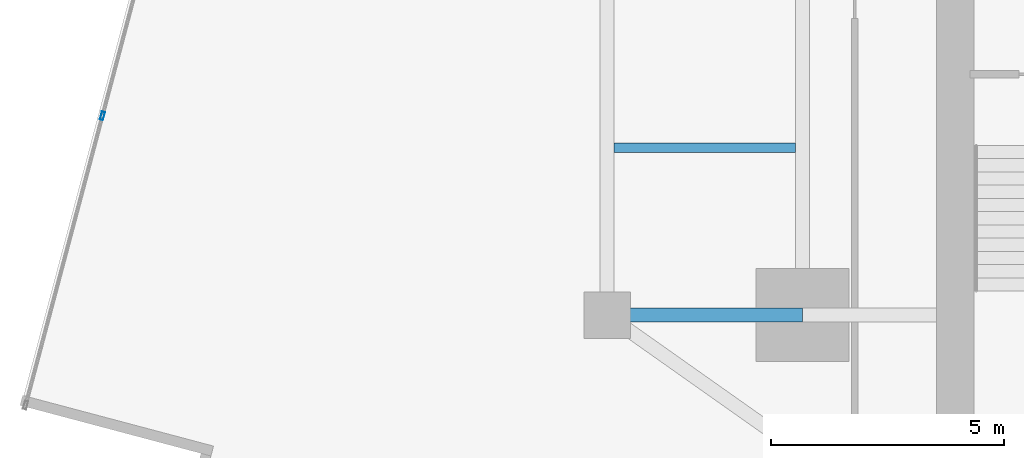
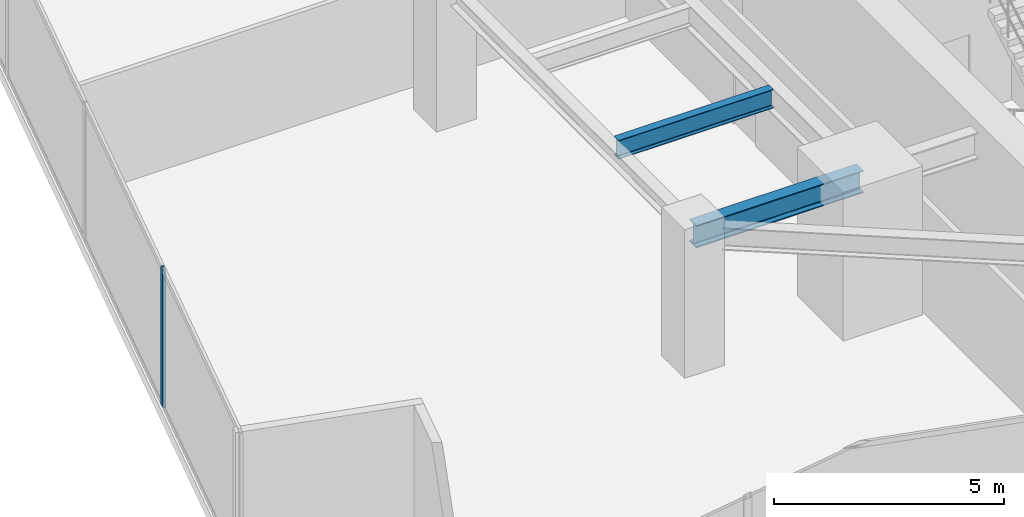
# One storey, part 6 of 27: 2 beams, 1 member, 1 element without a shape of its own.
"""IFC4 building model written with IfcOpenShell, lengths in metres."""

from ifc_helpers import new_model, si_unit, direction, frame, origin, origin_2d, place, context, subcontext, project, spatial, hollow_rectangle, i_section, extrude, source, transform, mapped, material, material_profile, profile_set, type_object, type_shapes, element, aggregate, save


model = new_model("IFC4")

# Units and contexts
model_context = context("Model", 3, precision=1e-05, world=origin(), true_north=direction((0.0, 1.0)))
body_context = subcontext(model_context, "Body", "Model", "MODEL_VIEW")
ifc_project = project(units=[si_unit("LENGTHUNIT", "METRE"), si_unit("AREAUNIT", "SQUARE_METRE"), si_unit("VOLUMEUNIT", "CUBIC_METRE"), si_unit("PLANEANGLEUNIT", "RADIAN"), si_unit("MASSUNIT", "GRAM", prefix="KILO")], contexts=[model_context])

# Site, building, storey
site_placement = place(None, origin())
site = spatial("IfcSite", under=ifc_project, at=site_placement, CompositionType="ELEMENT")
building_placement = place(site_placement, origin())
building = spatial("IfcBuilding", under=site, at=building_placement, Name="Krantzveldt Concourse Tower", CompositionType="ELEMENT")
storey_placement = place(building_placement, frame((0.0, 0.0, 97.949951171875)))
storey = spatial("IfcBuildingStorey", under=building, at=storey_placement, Name="L23", CompositionType="ELEMENT", Elevation=97.949951171875)

# Beams
ifc_material_1 = material(Name="Steel S355JR", Category="steel")
ifc_material_profile_1 = material_profile(ifc_material_1, i_section(OverallWidth=0.300048828125, OverallDepth=0.590087890625, WebThickness=0.012939453125, FlangeThickness=0.02490234375, FilletRadius=0.027099609375, at=origin_2d()), Name="Steel S355JR", Category="steel")
ifc_profile_set_1 = profile_set([ifc_material_profile_1], Name="Steel S355JR - HEA 600")
beam_type_1 = type_object("IfcBeamType", Name="BM-B-HEA600", PredefinedType="BEAM", material=ifc_profile_set_1)
shared_shape_1 = source(origin(), body_context, "Body", "SweptSolid", [
    extrude(i_section(OverallWidth=0.300048828125, OverallDepth=0.590087890625, WebThickness=0.012939453125, FlangeThickness=0.02490234375, FilletRadius=0.027099609375, at=origin_2d()), origin(), (0.0, 0.0, 1.0), 4.199951171875),
])
type_shapes(beam_type_1, [shared_shape_1])
beam_1_placement = place(storey_placement, frame((21.0, 15.89990234375, 3.375), z_axis=(1.0, 0.0, 0.0), x_axis=(0.0, 1.0, 0.0)))
element("IfcBeam", 1, at=beam_1_placement, inside=storey, type_object=beam_type_1, Name="L23 Tower Girder BR-RL1", PredefinedType="BEAM", context=body_context, shape_type="MappedRepresentation", body=[
    mapped(shared_shape_1, transform((0.0, 0.0, 0.0), x_axis=(1.0, 0.0, 0.0), y_axis=(0.0, 1.0, 0.0), z_axis=(0.0, 0.0, 1.0), scale=1.0)),
])
ifc_material_profile_2 = material_profile(ifc_material_1, i_section(OverallWidth=0.199951171875, OverallDepth=0.5, WebThickness=0.01025390625, FlangeThickness=0.01611328125, FilletRadius=0.02099609375, at=origin_2d()), Name="Steel S355JR", Category="steel")
ifc_profile_set_2 = profile_set([ifc_material_profile_2], Name="Steel S355JR - IPE 500")
beam_type_2 = type_object("IfcBeamType", Name="BM-J-IPE500", PredefinedType="JOIST", material=ifc_profile_set_2)
shared_shape_2 = source(origin(), body_context, "Body", "SweptSolid", [
    extrude(i_section(OverallWidth=0.199951171875, OverallDepth=0.5, WebThickness=0.01025390625, FlangeThickness=0.01611328125, FilletRadius=0.02099609375, at=origin_2d()), origin(), (0.0, 0.0, 1.0), 3.900146484375),
])
type_shapes(beam_type_2, [shared_shape_2])
beam_2_placement = place(storey_placement, frame((21.14990234375, 19.5, 3.420166015625), z_axis=(1.0, 0.0, 0.0), x_axis=(0.0, 1.0, 0.0)))
element("IfcBeam", 2, at=beam_2_placement, inside=storey, type_object=beam_type_2, Name="L23 Secondary Floor Joist JW-1", PredefinedType="JOIST", context=body_context, shape_type="MappedRepresentation", body=[
    mapped(shared_shape_2, transform((0.0, 0.0, 0.0), x_axis=(1.0, 0.0, 0.0), y_axis=(0.0, 1.0, 0.0), z_axis=(0.0, 0.0, 1.0), scale=1.0)),
])

# Curtain wall, member
ifc_material_2 = material(Name="Anodised aluminium 6063-T6", Category="aluminium")
curtain_wall_type = type_object("IfcCurtainWallType", Name="CW2", PredefinedType="USERDEFINED", material=ifc_material_2)
curtain_wall_placement = place(storey_placement, origin())
curtain_wall = element("IfcCurtainWall", 3, at=curtain_wall_placement, inside=storey, type_object=curtain_wall_type, Name="CW-L23-F01", ObjectType="UNITISED CURTAIN WALL", PredefinedType="USERDEFINED")
ifc_material_profile_3 = material_profile(ifc_material_2, hollow_rectangle(XDim=0.070068359375, YDim=0.179931640625, WallThickness=0.0048828125, at=origin_2d()), Name="Anodised aluminium 6063-T6", Category="aluminium")
ifc_profile_set_3 = profile_set([ifc_material_profile_3], Name="Anodised aluminium 6063-T6 - ALU-MULL 180x70x5")
member_type = type_object("IfcMemberType", Name="CW-MUL-180", PredefinedType="MULLION", material=ifc_profile_set_3)
shared_shape_3 = source(origin(), body_context, "Body", "SweptSolid", [
    extrude(hollow_rectangle(XDim=0.070068359375, YDim=0.179931640625, WallThickness=0.0048828125, at=origin_2d()), origin(), (0.0, 0.0, 1.0), 3.670166015625),
])
type_shapes(member_type, [shared_shape_3])
member_placement = place(storey_placement, frame((10.151123046875, 20.18408203125, 0.0), z_axis=(0.0, 0.0, 1.0), x_axis=(0.966488186373, -0.256711093648, 0.0)))
member = element("IfcMember", 4, at=member_placement, type_object=member_type, Name="CW-Z12 mullion 6", PredefinedType="MULLION", context=body_context, shape_type="MappedRepresentation", body=[
    mapped(shared_shape_3, transform((0.0, 0.0, 0.0), x_axis=(1.0, 0.0, 0.0), y_axis=(0.0, 1.0, 0.0), z_axis=(0.0, 0.0, 1.0), scale=1.0)),
])
aggregate(curtain_wall, [member])

save(model, "model.ifc")
